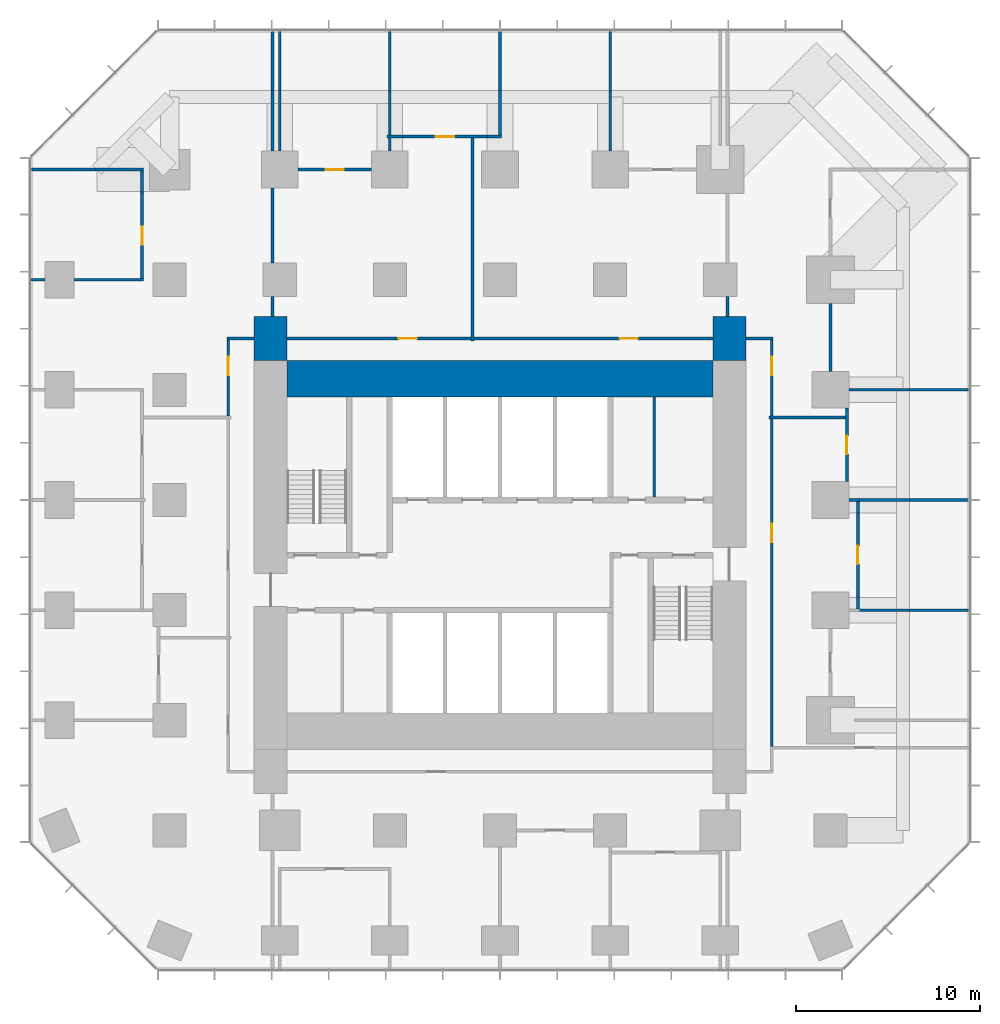
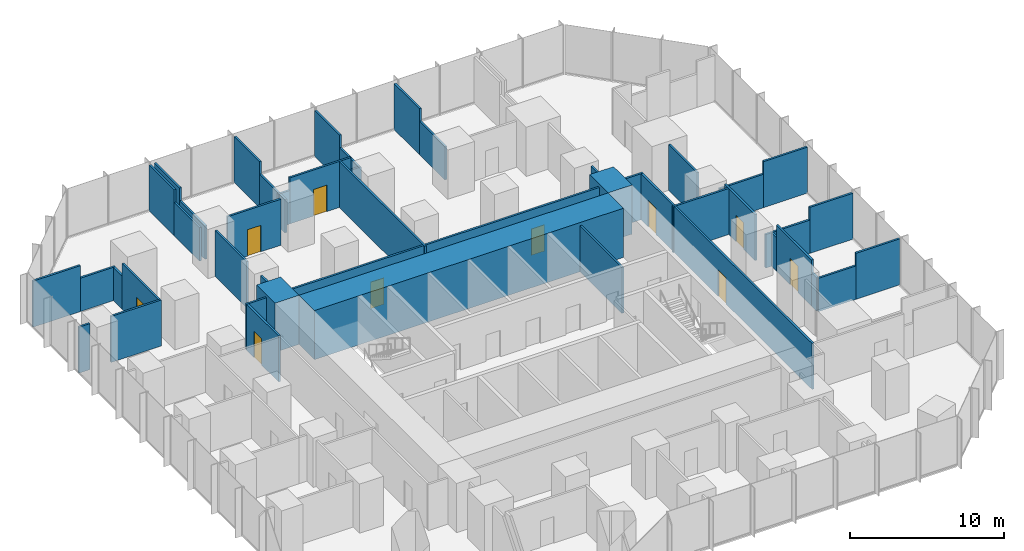
# One storey, part 10 of 12: 49 walls, 10 doors, 10 openings.
"""IFC4 building model written with IfcOpenShell, lengths in metres."""

from ifc_helpers import new_model, si_unit, direction, frame, frame_2d, origin, place, context, subcontext, project, spatial, rectangle, extrude, material, layer, layer_set, type_object, element, fill, save


model = new_model("IFC4")

# Units and contexts
model_context = context("Model", 3, precision=1e-05, world=origin(), true_north=direction((0.0, 1.0)))
body_context = subcontext(model_context, "Body", "Model", "MODEL_VIEW")
ifc_project = project(units=[si_unit("LENGTHUNIT", "METRE"), si_unit("AREAUNIT", "SQUARE_METRE"), si_unit("VOLUMEUNIT", "CUBIC_METRE"), si_unit("PLANEANGLEUNIT", "RADIAN"), si_unit("MASSUNIT", "GRAM", prefix="KILO")], contexts=[model_context])

# Site, building, storey
site_placement = place(None, origin())
site = spatial("IfcSite", under=ifc_project, at=site_placement, CompositionType="ELEMENT")
building_placement = place(site_placement, origin())
building = spatial("IfcBuilding", under=site, at=building_placement, Name="Highveld Stack Headquarters", CompositionType="ELEMENT")
storey_placement = place(building_placement, frame((0.0, 0.0, 68.89990234375)))
storey = spatial("IfcBuildingStorey", under=building, at=storey_placement, Name="L16", CompositionType="ELEMENT", Elevation=68.89990234375)

# Walls
ifc_material_1 = material(Name="Concrete C60/75", Category="concrete")
ifc_layer_1 = layer(ifc_material_1, 2.0)
ifc_layer_set_1 = layer_set([ifc_layer_1], Name="Concrete C60/75")
wall_type_1 = type_object("IfcWallType", Name="CORE WALL 2000 C60/75", PredefinedType="SHEAR", material=ifc_layer_set_1)
wall_1_placement = place(storey_placement, frame((-5.60009765625, 12.60009765625, 0.0), z_axis=(0.0, 0.0, 1.0), x_axis=(1.0, 0.0, 0.0)))
element("IfcWall", 1, at=wall_1_placement, inside=storey, type_object=wall_type_1, Name="Core wall N L16", PredefinedType="SHEAR", context=body_context, shape_type="SweptSolid", body=[
    extrude(rectangle(XDim=23.2001953125, YDim=2.0, at=frame_2d((11.60009765625, 0.0))), origin(), (0.0, 0.0, 1.0), 3.900146484375),
])
ifc_material_2 = material(Name="Concrete C60/75", Category="concrete")
ifc_layer_2 = layer(ifc_material_2, 1.800048828125)
ifc_layer_set_2 = layer_set([ifc_layer_2], Name="Concrete C60/75")
wall_type_2 = type_object("IfcWallType", Name="CORE WING WALL 1800 C60/75", PredefinedType="SHEAR", material=ifc_layer_set_2)
for number, where, z_axis, x_axis, name in (
    (2, (-6.5, 13.60009765625, 0.0), (0.0, 0.0, 1.0), (0.0, 1.0, 0.0), "Core wing wall WN L16"),
    (3, (18.5, 13.60009765625, 0.0), (0.0, 0.0, 1.0), (0.0, 1.0, 0.0), "Core wing wall EN L16"),
):
    element("IfcWall", number, at=place(storey_placement, frame(where, z_axis=z_axis, x_axis=x_axis)), inside=storey, type_object=wall_type_2, Name=name, PredefinedType="SHEAR", context=body_context, shape_type="SweptSolid", body=[
        extrude(rectangle(XDim=2.39990234375, YDim=1.800048828125, at=frame_2d((1.199951171875, 0.0))), origin(), (0.0, 0.0, 1.0), 3.900146484375),
    ])
ifc_material_3 = material(Name="Gypsum plasterboard on steel studs", Category="steel")
ifc_layer_3 = layer(ifc_material_3, 0.14990234375)
ifc_layer_set_3 = layer_set([ifc_layer_3], Name="Gypsum plasterboard on steel studs")
wall_type_3 = type_object("IfcWallType", Name="PARTITION 150 PLASTERBOARD", PredefinedType="PARTITIONING", material=ifc_layer_set_3)
wall_2_placement = place(storey_placement, frame((25.5, 0.0, 0.0), z_axis=(0.0, 0.0, 1.0), x_axis=(1.0, 0.0, 0.0)))
element("IfcWall", 4, at=wall_2_placement, inside=storey, type_object=wall_type_3, Name="Partition Meeting room / Quiet room L16", PredefinedType="PARTITIONING", context=body_context, shape_type="SweptSolid", body=[
    extrude(rectangle(XDim=2.81005859375, YDim=0.14990234375, at=frame_2d((1.405029296875, 0.0))), origin(), (0.0, 0.0, 1.0), 2.650146484375),
])
wall_3_placement = place(storey_placement, frame((28.31005859375, 0.0, 0.0), z_axis=(0.0, 0.0, 1.0), x_axis=(1.0, 0.0, 0.0)))
element("IfcWall", 5, at=wall_3_placement, inside=storey, type_object=wall_type_3, Name="Partition Meeting room / Quiet room L16", PredefinedType="PARTITIONING", context=body_context, shape_type="SweptSolid", body=[
    extrude(rectangle(XDim=3.2900390625, YDim=0.14990234375, at=frame_2d((1.64501953125, 0.0))), origin(), (0.0, 0.0, 1.0), 3.650146484375),
])
wall_4_placement = place(storey_placement, frame((25.0, 6.0, 0.0), z_axis=(0.0, 0.0, 1.0), x_axis=(1.0, 0.0, 0.0)))
element("IfcWall", 6, at=wall_4_placement, inside=storey, type_object=wall_type_3, Name="Partition Interview room L16", PredefinedType="PARTITIONING", context=body_context, shape_type="SweptSolid", body=[
    extrude(rectangle(XDim=0.574951171875, YDim=0.14990234375, at=frame_2d((0.28759765625, 0.0))), origin(), (0.0, 0.0, 1.0), 2.650146484375),
])
wall_5_placement = place(storey_placement, frame((25.5, 6.0, 0.0), z_axis=(0.0, 0.0, 1.0), x_axis=(1.0, 0.0, 0.0)))
element("IfcWall", 7, at=wall_5_placement, inside=storey, type_object=wall_type_3, Name="Partition Interview room / Quiet room L16", PredefinedType="PARTITIONING", context=body_context, shape_type="SweptSolid", body=[
    extrude(rectangle(XDim=2.81005859375, YDim=0.14990234375, at=frame_2d((1.405029296875, 0.0))), origin(), (0.0, 0.0, 1.0), 2.650146484375),
])
wall_6_placement = place(storey_placement, frame((28.31005859375, 6.0, 0.0), z_axis=(0.0, 0.0, 1.0), x_axis=(1.0, 0.0, 0.0)))
element("IfcWall", 8, at=wall_6_placement, inside=storey, type_object=wall_type_3, Name="Partition Interview room / Quiet room L16", PredefinedType="PARTITIONING", context=body_context, shape_type="SweptSolid", body=[
    extrude(rectangle(XDim=3.239990234375, YDim=0.14990234375, at=frame_2d((1.6201171875, 0.0))), origin(), (0.0, 0.0, 1.0), 3.650146484375),
])
wall_7_placement = place(storey_placement, frame((25.0, 12.0, 0.0), z_axis=(0.0, 0.0, 1.0), x_axis=(1.0, 0.0, 0.0)))
element("IfcWall", 9, at=wall_7_placement, inside=storey, type_object=wall_type_3, Name="Partition Interview room / Team office L16", PredefinedType="PARTITIONING", context=body_context, shape_type="SweptSolid", body=[
    extrude(rectangle(XDim=3.31005859375, YDim=0.14990234375, at=frame_2d((1.655029296875, 0.0))), origin(), (0.0, 0.0, 1.0), 2.650146484375),
])
wall_8_placement = place(storey_placement, frame((28.31005859375, 12.0, 0.0), z_axis=(0.0, 0.0, 1.0), x_axis=(1.0, 0.0, 0.0)))
element("IfcWall", 10, at=wall_8_placement, inside=storey, type_object=wall_type_3, Name="Partition Interview room / Team office L16", PredefinedType="PARTITIONING", context=body_context, shape_type="SweptSolid", body=[
    extrude(rectangle(XDim=3.2900390625, YDim=0.14990234375, at=frame_2d((1.64501953125, 0.0))), origin(), (0.0, 0.0, 1.0), 3.650146484375),
])
wall_9_placement = place(storey_placement, frame((-19.60009765625, 18.0, 0.0), z_axis=(0.0, 0.0, 1.0), x_axis=(1.0, 0.0, 0.0)))
element("IfcWall", 11, at=wall_9_placement, inside=storey, type_object=wall_type_3, Name="Partition Quiet room L16", PredefinedType="PARTITIONING", context=body_context, shape_type="SweptSolid", body=[
    extrude(rectangle(XDim=0.800048828125, YDim=0.14990234375, at=frame_2d((0.39990234375, 0.0))), origin(), (0.0, 0.0, 1.0), 3.650146484375),
])
wall_10_placement = place(storey_placement, frame((-17.199951171875, 18.0, 0.0), z_axis=(0.0, 0.0, 1.0), x_axis=(1.0, 0.0, 0.0)))
element("IfcWall", 12, at=wall_10_placement, inside=storey, type_object=wall_type_3, Name="Partition Quiet room L16", PredefinedType="PARTITIONING", context=body_context, shape_type="SweptSolid", body=[
    extrude(rectangle(XDim=3.77490234375, YDim=0.14990234375, at=frame_2d((1.887451171875, 0.0))), origin(), (0.0, 0.0, 1.0), 3.650146484375),
])
wall_11_placement = place(storey_placement, frame((-19.60009765625, 24.0, 0.0), z_axis=(0.0, 0.0, 1.0), x_axis=(1.0, 0.0, 0.0)))
element("IfcWall", 13, at=wall_11_placement, inside=storey, type_object=wall_type_3, Name="Partition Quiet room L16", PredefinedType="PARTITIONING", context=body_context, shape_type="SweptSolid", body=[
    extrude(rectangle(XDim=3.55517578125, YDim=0.14990234375, at=frame_2d((1.777587890625, 0.0))), origin(), (0.0, 0.0, 1.0), 3.650146484375),
])
wall_12_placement = place(storey_placement, frame((-16.044921875, 24.0, 0.0), z_axis=(0.0, 0.0, 1.0), x_axis=(1.0, 0.0, 0.0)))
element("IfcWall", 14, at=wall_12_placement, inside=storey, type_object=wall_type_3, Name="Partition Quiet room L16", PredefinedType="PARTITIONING", context=body_context, shape_type="SweptSolid", body=[
    extrude(rectangle(XDim=2.619873046875, YDim=0.14990234375, at=frame_2d((1.31005859375, 0.0))), origin(), (0.0, 0.0, 1.0), 2.650146484375),
])

# Wall, opening, door
wall_13_placement = place(storey_placement, frame((-5.0, 24.0, 0.0), z_axis=(0.0, 0.0, 1.0), x_axis=(1.0, 0.0, 0.0)))
wall_13 = element("IfcWall", 15, at=wall_13_placement, inside=storey, type_object=wall_type_3, Name="Partition Office L16", PredefinedType="PARTITIONING", context=body_context, shape_type="SweptSolid", body=[
    extrude(rectangle(XDim=4.0, YDim=0.14990234375, at=frame_2d((2.0, 0.0))), origin(), (0.0, 0.0, 1.0), 3.650146484375),
])
opening_1_placement = place(wall_13_placement, frame((1.5, 0.0, 0.0)))
opening_1 = element("IfcOpeningElement", 16, at=opening_1_placement, cuts=wall_13, Name="Opening L16-22", PredefinedType="OPENING", context=body_context, shape_type="SweptSolid", body=[
    extrude(rectangle(XDim=1.0, YDim=2.10009765625, at=frame_2d((0.5, 1.050048828125))), frame((0.0, 0.0849609375, 0.0), z_axis=(0.0, -1.0, 0.0), x_axis=(1.0, 0.0, 0.0)), (0.0, 0.0, 1.0), 0.169921875),
])
ifc_material_4 = material(Name="Timber door, oiled ash", Category="wood")
door_type = type_object("IfcDoorType", Name="ROOM DOOR D6 1000x2100", OperationType="SINGLE_SWING_LEFT", PredefinedType="DOOR", material=ifc_material_4)
door_1_placement = place(opening_1_placement, origin())
door_1 = element("IfcDoor", 17, at=door_1_placement, inside=storey, type_object=door_type, Name="Office door 1 L16", OperationType="SINGLE_SWING_LEFT", OverallHeight=2.10009765625, OverallWidth=1.0, PredefinedType="DOOR", context=body_context, shape_type="SweptSolid", body=[
    extrude(rectangle(XDim=1.0, YDim=2.10009765625, at=frame_2d((0.5, 1.050048828125))), frame((0.0, 0.02490234375, 0.0), z_axis=(0.0, -1.0, 0.0), x_axis=(1.0, 0.0, 0.0)), (0.0, 0.0, 1.0), 0.050048828125),
])
fill(opening_1, door_1)

# Wall
wall_14_placement = place(storey_placement, frame((-0.14990234375, 25.800048828125, 0.0), z_axis=(0.0, 0.0, 1.0), x_axis=(1.0, 0.0, 0.0)))
element("IfcWall", 18, at=wall_14_placement, inside=storey, type_object=wall_type_3, Name="Partition Print room L16", PredefinedType="PARTITIONING", context=body_context, shape_type="SweptSolid", body=[
    extrude(rectangle(XDim=0.85986328125, YDim=0.14990234375, at=frame_2d((0.429931640625, 0.0))), origin(), (0.0, 0.0, 1.0), 2.650146484375),
])

# Wall, opening, door
wall_15_placement = place(storey_placement, frame((0.7099609375, 25.800048828125, 0.0), z_axis=(0.0, 0.0, 1.0), x_axis=(1.0, 0.0, 0.0)))
wall_15 = element("IfcWall", 19, at=wall_15_placement, inside=storey, type_object=wall_type_3, Name="Partition Print room L16", PredefinedType="PARTITIONING", context=body_context, shape_type="SweptSolid", body=[
    extrude(rectangle(XDim=4.580078125, YDim=0.14990234375, at=frame_2d((2.2900390625, 0.0))), origin(), (0.0, 0.0, 1.0), 3.650146484375),
])
opening_2_placement = place(wall_15_placement, frame((1.7900390625, 0.0, 0.0)))
opening_2 = element("IfcOpeningElement", 20, at=opening_2_placement, cuts=wall_15, Name="Opening L16-23", PredefinedType="OPENING", context=body_context, shape_type="SweptSolid", body=[
    extrude(rectangle(XDim=1.0, YDim=2.10009765625, at=frame_2d((0.5, 1.050048828125))), frame((0.0, 0.0849609375, 0.0), z_axis=(0.0, -1.0, 0.0), x_axis=(1.0, 0.0, 0.0)), (0.0, 0.0, 1.0), 0.169921875),
])
door_2_placement = place(opening_2_placement, origin())
door_2 = element("IfcDoor", 21, at=door_2_placement, inside=storey, type_object=door_type, Name="Print room door 1 L16", OperationType="SINGLE_SWING_RIGHT", OverallHeight=2.10009765625, OverallWidth=1.0, PredefinedType="DOOR", context=body_context, shape_type="SweptSolid", body=[
    extrude(rectangle(XDim=1.0, YDim=2.10009765625, at=frame_2d((0.5, 1.050048828125))), frame((0.0, 0.02490234375, 0.0), z_axis=(0.0, -1.0, 0.0), x_axis=(1.0, 0.0, 0.0)), (0.0, 0.0, 1.0), 0.050048828125),
])
fill(opening_2, door_2)

# Wall
wall_16_placement = place(storey_placement, frame((5.2900390625, 25.800048828125, 0.0), z_axis=(0.0, 0.0, 1.0), x_axis=(1.0, 0.0, 0.0)))
element("IfcWall", 22, at=wall_16_placement, inside=storey, type_object=wall_type_3, Name="Partition Print room L16", PredefinedType="PARTITIONING", context=body_context, shape_type="SweptSolid", body=[
    extrude(rectangle(XDim=0.784912109375, YDim=0.14990234375, at=frame_2d((0.392578125, 0.0))), origin(), (0.0, 0.0, 1.0), 2.650146484375),
])

# Wall, opening, door
wall_17_placement = place(storey_placement, frame((-13.5, 18.074951171875, 0.0), z_axis=(0.0, 0.0, 1.0), x_axis=(0.0, 1.0, 0.0)))
wall_17 = element("IfcWall", 23, at=wall_17_placement, inside=storey, type_object=wall_type_3, Name="Partition Quiet room L16", PredefinedType="PARTITIONING", context=body_context, shape_type="SweptSolid", body=[
    extrude(rectangle(XDim=4.715087890625, YDim=0.14990234375, at=frame_2d((2.357421875, 0.0))), origin(), (0.0, 0.0, 1.0), 3.650146484375),
])
opening_3_placement = place(wall_17_placement, frame((1.820068359375, 0.0, 0.0)))
opening_3 = element("IfcOpeningElement", 24, at=opening_3_placement, cuts=wall_17, Name="Opening L16-17", PredefinedType="OPENING", context=body_context, shape_type="SweptSolid", body=[
    extrude(rectangle(XDim=1.0, YDim=2.10009765625, at=frame_2d((0.5, 1.050048828125))), frame((0.0, 0.0849609375, 0.0), z_axis=(0.0, -1.0, 0.0), x_axis=(1.0, 0.0, 0.0)), (0.0, 0.0, 1.0), 0.169921875),
])
door_3_placement = place(opening_3_placement, origin())
door_3 = element("IfcDoor", 25, at=door_3_placement, inside=storey, type_object=door_type, Name="Quiet room door 1 L16", OperationType="SINGLE_SWING_LEFT", OverallHeight=2.10009765625, OverallWidth=1.0, PredefinedType="DOOR", context=body_context, shape_type="SweptSolid", body=[
    extrude(rectangle(XDim=1.0, YDim=2.10009765625, at=frame_2d((0.5, 1.050048828125))), frame((0.0, 0.02490234375, 0.0), z_axis=(0.0, -1.0, 0.0), x_axis=(1.0, 0.0, 0.0)), (0.0, 0.0, 1.0), 0.050048828125),
])
fill(opening_3, door_3)

# Walls
wall_18_placement = place(storey_placement, frame((-13.5, 22.7900390625, 0.0), z_axis=(0.0, 0.0, 1.0), x_axis=(0.0, 1.0, 0.0)))
element("IfcWall", 26, at=wall_18_placement, inside=storey, type_object=wall_type_3, Name="Partition Quiet room L16", PredefinedType="PARTITIONING", context=body_context, shape_type="SweptSolid", body=[
    extrude(rectangle(XDim=1.135009765625, YDim=0.14990234375, at=frame_2d((0.5673828125, 0.0))), origin(), (0.0, 0.0, 1.0), 2.650146484375),
])
wall_19_placement = place(storey_placement, frame((-6.0, 25.0, 0.0), z_axis=(0.0, 0.0, 1.0), x_axis=(0.0, 1.0, 0.0)))
element("IfcWall", 27, at=wall_19_placement, inside=storey, type_object=wall_type_3, Name="Partition Office L16", PredefinedType="PARTITIONING", context=body_context, shape_type="SweptSolid", body=[
    extrude(rectangle(XDim=3.31005859375, YDim=0.14990234375, at=frame_2d((1.655029296875, 0.0))), origin(), (0.0, 0.0, 1.0), 2.650146484375),
])
wall_20_placement = place(storey_placement, frame((-6.0, 28.31005859375, 0.0), z_axis=(0.0, 0.0, 1.0), x_axis=(0.0, 1.0, 0.0)))
element("IfcWall", 28, at=wall_20_placement, inside=storey, type_object=wall_type_3, Name="Partition Office L16", PredefinedType="PARTITIONING", context=body_context, shape_type="SweptSolid", body=[
    extrude(rectangle(XDim=3.2900390625, YDim=0.14990234375, at=frame_2d((1.64501953125, 0.0))), origin(), (0.0, 0.0, 1.0), 3.650146484375),
])
wall_21_placement = place(storey_placement, frame((0.0, 25.0, 0.0), z_axis=(0.0, 0.0, 1.0), x_axis=(0.0, 1.0, 0.0)))
element("IfcWall", 29, at=wall_21_placement, inside=storey, type_object=wall_type_3, Name="Partition Office L16", PredefinedType="PARTITIONING", context=body_context, shape_type="SweptSolid", body=[
    extrude(rectangle(XDim=0.72509765625, YDim=0.14990234375, at=frame_2d((0.362548828125, 0.0))), origin(), (0.0, 0.0, 1.0), 2.650146484375),
])
wall_22_placement = place(storey_placement, frame((0.0, 25.875, 0.0), z_axis=(0.0, 0.0, 1.0), x_axis=(0.0, 1.0, 0.0)))
element("IfcWall", 30, at=wall_22_placement, inside=storey, type_object=wall_type_3, Name="Partition Office / Print room L16", PredefinedType="PARTITIONING", context=body_context, shape_type="SweptSolid", body=[
    extrude(rectangle(XDim=2.43505859375, YDim=0.14990234375, at=frame_2d((1.217529296875, 0.0))), origin(), (0.0, 0.0, 1.0), 2.650146484375),
])
wall_23_placement = place(storey_placement, frame((0.0, 28.31005859375, 0.0), z_axis=(0.0, 0.0, 1.0), x_axis=(0.0, 1.0, 0.0)))
element("IfcWall", 31, at=wall_23_placement, inside=storey, type_object=wall_type_3, Name="Partition Office / Print room L16", PredefinedType="PARTITIONING", context=body_context, shape_type="SweptSolid", body=[
    extrude(rectangle(XDim=3.2900390625, YDim=0.14990234375, at=frame_2d((1.64501953125, 0.0))), origin(), (0.0, 0.0, 1.0), 3.650146484375),
])
wall_24_placement = place(storey_placement, frame((6.0, 25.875, 0.0), z_axis=(0.0, 0.0, 1.0), x_axis=(0.0, 1.0, 0.0)))
element("IfcWall", 32, at=wall_24_placement, inside=storey, type_object=wall_type_3, Name="Partition Print room L16", PredefinedType="PARTITIONING", context=body_context, shape_type="SweptSolid", body=[
    extrude(rectangle(XDim=2.43505859375, YDim=0.14990234375, at=frame_2d((1.217529296875, 0.0))), origin(), (0.0, 0.0, 1.0), 2.650146484375),
])
wall_25_placement = place(storey_placement, frame((6.0, 28.31005859375, 0.0), z_axis=(0.0, 0.0, 1.0), x_axis=(0.0, 1.0, 0.0)))
element("IfcWall", 33, at=wall_25_placement, inside=storey, type_object=wall_type_3, Name="Partition Print room L16", PredefinedType="PARTITIONING", context=body_context, shape_type="SweptSolid", body=[
    extrude(rectangle(XDim=3.239990234375, YDim=0.14990234375, at=frame_2d((1.6201171875, 0.0))), origin(), (0.0, 0.0, 1.0), 3.650146484375),
])
wall_26_placement = place(storey_placement, frame((12.0, 25.0, 0.0), z_axis=(0.0, 0.0, 1.0), x_axis=(0.0, 1.0, 0.0)))
element("IfcWall", 34, at=wall_26_placement, inside=storey, type_object=wall_type_3, Name="Partition Meeting room L16", PredefinedType="PARTITIONING", context=body_context, shape_type="SweptSolid", body=[
    extrude(rectangle(XDim=3.31005859375, YDim=0.14990234375, at=frame_2d((1.655029296875, 0.0))), origin(), (0.0, 0.0, 1.0), 2.650146484375),
])
wall_27_placement = place(storey_placement, frame((12.0, 28.31005859375, 0.0), z_axis=(0.0, 0.0, 1.0), x_axis=(0.0, 1.0, 0.0)))
element("IfcWall", 35, at=wall_27_placement, inside=storey, type_object=wall_type_3, Name="Partition Meeting room L16", PredefinedType="PARTITIONING", context=body_context, shape_type="SweptSolid", body=[
    extrude(rectangle(XDim=3.2900390625, YDim=0.14990234375, at=frame_2d((1.64501953125, 0.0))), origin(), (0.0, 0.0, 1.0), 3.650146484375),
])
wall_28_placement = place(storey_placement, frame((24.0, 13.0, 0.0), z_axis=(0.0, 0.0, 1.0), x_axis=(0.0, 1.0, 0.0)))
element("IfcWall", 36, at=wall_28_placement, inside=storey, type_object=wall_type_3, Name="Partition Team office L16", PredefinedType="PARTITIONING", context=body_context, shape_type="SweptSolid", body=[
    extrude(rectangle(XDim=3.699951171875, YDim=0.14990234375, at=frame_2d((1.85009765625, 0.0))), origin(), (0.0, 0.0, 1.0), 3.650146484375),
])

# Wall, opening, door
wall_29_placement = place(storey_placement, frame((24.89990234375, 7.0, 0.0), z_axis=(0.0, 0.0, 1.0), x_axis=(0.0, 1.0, 0.0)))
wall_29 = element("IfcWall", 37, at=wall_29_placement, inside=storey, type_object=wall_type_3, Name="Partition Interview room L16", PredefinedType="PARTITIONING", context=body_context, shape_type="SweptSolid", body=[
    extrude(rectangle(XDim=4.0, YDim=0.14990234375, at=frame_2d((2.0, 0.0))), origin(), (0.0, 0.0, 1.0), 3.650146484375),
])
opening_4_placement = place(wall_29_placement, frame((1.5, 0.0, 0.0)))
opening_4 = element("IfcOpeningElement", 38, at=opening_4_placement, cuts=wall_29, Name="Opening L16-20", PredefinedType="OPENING", context=body_context, shape_type="SweptSolid", body=[
    extrude(rectangle(XDim=1.0, YDim=2.10009765625, at=frame_2d((0.5, 1.050048828125))), frame((0.0, 0.0849609375, 0.0), z_axis=(0.0, -1.0, 0.0), x_axis=(1.0, 0.0, 0.0)), (0.0, 0.0, 1.0), 0.169921875),
])
door_4_placement = place(opening_4_placement, origin())
door_4 = element("IfcDoor", 39, at=door_4_placement, inside=storey, type_object=door_type, Name="Interview room door 1 L16", OperationType="SINGLE_SWING_RIGHT", OverallHeight=2.10009765625, OverallWidth=1.0, PredefinedType="DOOR", context=body_context, shape_type="SweptSolid", body=[
    extrude(rectangle(XDim=1.0, YDim=2.10009765625, at=frame_2d((0.5, 1.050048828125))), frame((0.0, 0.02490234375, 0.0), z_axis=(0.0, -1.0, 0.0), x_axis=(1.0, 0.0, 0.0)), (0.0, 0.0, 1.0), 0.050048828125),
])
fill(opening_4, door_4)

# Wall
wall_30_placement = place(storey_placement, frame((25.5, 0.074951171875, 0.0), z_axis=(0.0, 0.0, 1.0), x_axis=(0.0, 1.0, 0.0)))
element("IfcWall", 40, at=wall_30_placement, inside=storey, type_object=wall_type_3, Name="Partition Quiet room L16", PredefinedType="PARTITIONING", context=body_context, shape_type="SweptSolid", body=[
    extrude(rectangle(XDim=0.635009765625, YDim=0.14990234375, at=frame_2d((0.3173828125, 0.0))), origin(), (0.0, 0.0, 1.0), 2.650146484375),
])

# Wall, opening, door
wall_31_placement = place(storey_placement, frame((25.5, 0.7099609375, 0.0), z_axis=(0.0, 0.0, 1.0), x_axis=(0.0, 1.0, 0.0)))
wall_31 = element("IfcWall", 41, at=wall_31_placement, inside=storey, type_object=wall_type_3, Name="Partition Quiet room L16", PredefinedType="PARTITIONING", context=body_context, shape_type="SweptSolid", body=[
    extrude(rectangle(XDim=4.580078125, YDim=0.14990234375, at=frame_2d((2.2900390625, 0.0))), origin(), (0.0, 0.0, 1.0), 3.650146484375),
])
opening_5_placement = place(wall_31_placement, frame((1.7900390625, 0.0, 0.0)))
opening_5 = element("IfcOpeningElement", 42, at=opening_5_placement, cuts=wall_31, Name="Opening L16-19", PredefinedType="OPENING", context=body_context, shape_type="SweptSolid", body=[
    extrude(rectangle(XDim=1.0, YDim=2.10009765625, at=frame_2d((0.5, 1.050048828125))), frame((0.0, 0.0849609375, 0.0), z_axis=(0.0, -1.0, 0.0), x_axis=(1.0, 0.0, 0.0)), (0.0, 0.0, 1.0), 0.169921875),
])
door_5_placement = place(opening_5_placement, origin())
door_5 = element("IfcDoor", 43, at=door_5_placement, inside=storey, type_object=door_type, Name="Quiet room door 1 L16", OperationType="SINGLE_SWING_LEFT", OverallHeight=2.10009765625, OverallWidth=1.0, PredefinedType="DOOR", context=body_context, shape_type="SweptSolid", body=[
    extrude(rectangle(XDim=1.0, YDim=2.10009765625, at=frame_2d((0.5, 1.050048828125))), frame((0.0, 0.02490234375, 0.0), z_axis=(0.0, -1.0, 0.0), x_axis=(1.0, 0.0, 0.0)), (0.0, 0.0, 1.0), 0.050048828125),
])
fill(opening_5, door_5)

# Wall
wall_32_placement = place(storey_placement, frame((25.5, 5.2900390625, 0.0), z_axis=(0.0, 0.0, 1.0), x_axis=(0.0, 1.0, 0.0)))
element("IfcWall", 44, at=wall_32_placement, inside=storey, type_object=wall_type_3, Name="Partition Quiet room L16", PredefinedType="PARTITIONING", context=body_context, shape_type="SweptSolid", body=[
    extrude(rectangle(XDim=0.635009765625, YDim=0.14990234375, at=frame_2d((0.3173828125, 0.0))), origin(), (0.0, 0.0, 1.0), 2.650146484375),
])

# Wall, opening, door
wall_33_placement = place(storey_placement, frame((-8.800048828125, 10.574951171875, 0.0), z_axis=(0.0, 0.0, 1.0), x_axis=(0.0, 1.0, 0.0)))
wall_33 = element("IfcWall", 45, at=wall_33_placement, inside=storey, type_object=wall_type_3, Name="Partition office neighbourhood L16", PredefinedType="PARTITIONING", context=body_context, shape_type="SweptSolid", body=[
    extrude(rectangle(XDim=4.150146484375, YDim=0.14990234375, at=frame_2d((2.0751953125, 0.0))), origin(), (0.0, 0.0, 1.0), 3.650146484375),
])
opening_6_placement = place(wall_33_placement, frame((2.219970703125, 0.0, 0.0)))
opening_6 = element("IfcOpeningElement", 46, at=opening_6_placement, cuts=wall_33, Name="Opening L16-30", PredefinedType="OPENING", context=body_context, shape_type="SweptSolid", body=[
    extrude(rectangle(XDim=1.0, YDim=2.10009765625, at=frame_2d((0.5, 1.050048828125))), frame((0.0, 0.0849609375, 0.0), z_axis=(0.0, -1.0, 0.0), x_axis=(1.0, 0.0, 0.0)), (0.0, 0.0, 1.0), 0.169921875),
])
door_6_placement = place(opening_6_placement, origin())
door_6 = element("IfcDoor", 47, at=door_6_placement, inside=storey, type_object=door_type, Name="Office neighbourhood door L16", OperationType="SINGLE_SWING_RIGHT", OverallHeight=2.10009765625, OverallWidth=1.0, PredefinedType="DOOR", context=body_context, shape_type="SweptSolid", body=[
    extrude(rectangle(XDim=1.0, YDim=2.10009765625, at=frame_2d((0.5, 1.050048828125))), frame((0.0, 0.02490234375, 0.0), z_axis=(0.0, -1.0, 0.0), x_axis=(1.0, 0.0, 0.0)), (0.0, 0.0, 1.0), 0.050048828125),
])
fill(opening_6, door_6)

# Walls
wall_34_placement = place(storey_placement, frame((-8.875, 14.800048828125, 0.0), z_axis=(0.0, 0.0, 1.0), x_axis=(1.0, 0.0, 0.0)))
element("IfcWall", 48, at=wall_34_placement, inside=storey, type_object=wall_type_3, Name="Partition office neighbourhood L16", PredefinedType="PARTITIONING", context=body_context, shape_type="SweptSolid", body=[
    extrude(rectangle(XDim=1.47509765625, YDim=0.14990234375, at=frame_2d((0.737548828125, 0.0))), origin(), (0.0, 0.0, 1.0), 3.650146484375),
])
wall_35_placement = place(storey_placement, frame((-6.39990234375, 16.0, 0.0), z_axis=(0.0, 0.0, 1.0), x_axis=(0.0, 1.0, 0.0)))
element("IfcWall", 49, at=wall_35_placement, inside=storey, type_object=wall_type_3, Name="Partition office neighbourhood L16", PredefinedType="PARTITIONING", context=body_context, shape_type="SweptSolid", body=[
    extrude(rectangle(XDim=1.10009765625, YDim=0.14990234375, at=frame_2d((0.550048828125, 0.0))), origin(), (0.0, 0.0, 1.0), 3.650146484375),
])
wall_36_placement = place(storey_placement, frame((-6.39990234375, 18.89990234375, 0.0), z_axis=(0.0, 0.0, 1.0), x_axis=(0.0, 1.0, 0.0)))
element("IfcWall", 50, at=wall_36_placement, inside=storey, type_object=wall_type_3, Name="Partition office neighbourhood L16", PredefinedType="PARTITIONING", context=body_context, shape_type="SweptSolid", body=[
    extrude(rectangle(XDim=4.10009765625, YDim=0.14990234375, at=frame_2d((2.050048828125, 0.0))), origin(), (0.0, 0.0, 1.0), 3.650146484375),
])
wall_37_placement = place(storey_placement, frame((-6.39990234375, 25.0, 0.0), z_axis=(0.0, 0.0, 1.0), x_axis=(0.0, 1.0, 0.0)))
element("IfcWall", 51, at=wall_37_placement, inside=storey, type_object=wall_type_3, Name="Partition office neighbourhood L16", PredefinedType="PARTITIONING", context=body_context, shape_type="SweptSolid", body=[
    extrude(rectangle(XDim=3.31005859375, YDim=0.14990234375, at=frame_2d((1.655029296875, 0.0))), origin(), (0.0, 0.0, 1.0), 2.650146484375),
])
wall_38_placement = place(storey_placement, frame((-6.39990234375, 28.31005859375, 0.0), z_axis=(0.0, 0.0, 1.0), x_axis=(0.0, 1.0, 0.0)))
element("IfcWall", 52, at=wall_38_placement, inside=storey, type_object=wall_type_3, Name="Partition office neighbourhood L16", PredefinedType="PARTITIONING", context=body_context, shape_type="SweptSolid", body=[
    extrude(rectangle(XDim=3.239990234375, YDim=0.14990234375, at=frame_2d((1.6201171875, 0.0))), origin(), (0.0, 0.0, 1.0), 3.650146484375),
])

# Wall, opening, door
wall_39_placement = place(storey_placement, frame((-5.60009765625, 14.800048828125, 0.0), z_axis=(0.0, 0.0, 1.0), x_axis=(1.0, 0.0, 0.0)))
wall_39 = element("IfcWall", 53, at=wall_39_placement, inside=storey, type_object=wall_type_3, Name="Partition office neighbourhood L16", PredefinedType="PARTITIONING", context=body_context, shape_type="SweptSolid", body=[
    extrude(rectangle(XDim=10.025146484375, YDim=0.14990234375, at=frame_2d((5.0126953125, 0.0))), origin(), (0.0, 0.0, 1.0), 3.650146484375),
])
opening_7_placement = place(wall_39_placement, frame((6.06494140625, 0.0, 0.0)))
opening_7 = element("IfcOpeningElement", 54, at=opening_7_placement, cuts=wall_39, Name="Opening L16-29", PredefinedType="OPENING", context=body_context, shape_type="SweptSolid", body=[
    extrude(rectangle(XDim=1.0, YDim=2.10009765625, at=frame_2d((0.5, 1.050048828125))), frame((0.0, 0.0849609375, 0.0), z_axis=(0.0, -1.0, 0.0), x_axis=(1.0, 0.0, 0.0)), (0.0, 0.0, 1.0), 0.169921875),
])
door_7_placement = place(opening_7_placement, origin())
door_7 = element("IfcDoor", 55, at=door_7_placement, inside=storey, type_object=door_type, Name="Office neighbourhood door L16", OperationType="SINGLE_SWING_RIGHT", OverallHeight=2.10009765625, OverallWidth=1.0, PredefinedType="DOOR", context=body_context, shape_type="SweptSolid", body=[
    extrude(rectangle(XDim=1.0, YDim=2.10009765625, at=frame_2d((0.5, 1.050048828125))), frame((0.0, 0.02490234375, 0.0), z_axis=(0.0, -1.0, 0.0), x_axis=(1.0, 0.0, 0.0)), (0.0, 0.0, 1.0), 0.050048828125),
])
fill(opening_7, door_7)

# Wall
wall_40_placement = place(storey_placement, frame((4.5, 14.64990234375, 0.0), z_axis=(0.0, 0.0, 1.0), x_axis=(0.0, 1.0, 0.0)))
element("IfcWall", 56, at=wall_40_placement, inside=storey, type_object=wall_type_3, Name="Partition office neighbourhood L16", PredefinedType="PARTITIONING", context=body_context, shape_type="SweptSolid", body=[
    extrude(rectangle(XDim=11.0751953125, YDim=0.14990234375, at=frame_2d((5.53759765625, 0.0))), origin(), (0.0, 0.0, 1.0), 3.650146484375),
])

# Wall, opening, door
wall_41_placement = place(storey_placement, frame((4.574951171875, 14.800048828125, 0.0), z_axis=(0.0, 0.0, 1.0), x_axis=(1.0, 0.0, 0.0)))
wall_41 = element("IfcWall", 57, at=wall_41_placement, inside=storey, type_object=wall_type_3, Name="Partition office neighbourhood L16", PredefinedType="PARTITIONING", context=body_context, shape_type="SweptSolid", body=[
    extrude(rectangle(XDim=13.025146484375, YDim=0.14990234375, at=frame_2d((6.5126953125, 0.0))), origin(), (0.0, 0.0, 1.0), 3.650146484375),
])
opening_8_placement = place(wall_41_placement, frame((7.93994140625, 0.0, 0.0)))
opening_8 = element("IfcOpeningElement", 58, at=opening_8_placement, cuts=wall_41, Name="Opening L16-31", PredefinedType="OPENING", context=body_context, shape_type="SweptSolid", body=[
    extrude(rectangle(XDim=1.0, YDim=2.10009765625, at=frame_2d((0.5, 1.050048828125))), frame((0.0, 0.0849609375, 0.0), z_axis=(0.0, -1.0, 0.0), x_axis=(1.0, 0.0, 0.0)), (0.0, 0.0, 1.0), 0.169921875),
])
door_8_placement = place(opening_8_placement, origin())
door_8 = element("IfcDoor", 59, at=door_8_placement, inside=storey, type_object=door_type, Name="Office neighbourhood door L16", OperationType="SINGLE_SWING_RIGHT", OverallHeight=2.10009765625, OverallWidth=1.0, PredefinedType="DOOR", context=body_context, shape_type="SweptSolid", body=[
    extrude(rectangle(XDim=1.0, YDim=2.10009765625, at=frame_2d((0.5, 1.050048828125))), frame((0.0, 0.02490234375, 0.0), z_axis=(0.0, -1.0, 0.0), x_axis=(1.0, 0.0, 0.0)), (0.0, 0.0, 1.0), 0.050048828125),
])
fill(opening_8, door_8)

# Walls
wall_42_placement = place(storey_placement, frame((18.39990234375, 16.0, 0.0), z_axis=(0.0, 0.0, 1.0), x_axis=(0.0, 1.0, 0.0)))
element("IfcWall", 60, at=wall_42_placement, inside=storey, type_object=wall_type_3, Name="Partition office neighbourhood L16", PredefinedType="PARTITIONING", context=body_context, shape_type="SweptSolid", body=[
    extrude(rectangle(XDim=1.10009765625, YDim=0.14990234375, at=frame_2d((0.550048828125, 0.0))), origin(), (0.0, 0.0, 1.0), 3.650146484375),
])
wall_43_placement = place(storey_placement, frame((19.39990234375, 14.800048828125, 0.0), z_axis=(0.0, 0.0, 1.0), x_axis=(1.0, 0.0, 0.0)))
element("IfcWall", 61, at=wall_43_placement, inside=storey, type_object=wall_type_3, Name="Partition office neighbourhood L16", PredefinedType="PARTITIONING", context=body_context, shape_type="SweptSolid", body=[
    extrude(rectangle(XDim=1.47509765625, YDim=0.14990234375, at=frame_2d((0.737548828125, 0.0))), origin(), (0.0, 0.0, 1.0), 3.650146484375),
])

# Wall, opening, door
wall_44_placement = place(storey_placement, frame((20.800048828125, -7.5, 0.0), z_axis=(0.0, 0.0, 1.0), x_axis=(0.0, 1.0, 0.0)))
wall_44 = element("IfcWall", 62, at=wall_44_placement, inside=storey, type_object=wall_type_3, Name="Partition office neighbourhood L16", PredefinedType="PARTITIONING", context=body_context, shape_type="SweptSolid", body=[
    extrude(rectangle(XDim=17.925048828125, YDim=0.14990234375, at=frame_2d((8.96240234375, 0.0))), origin(), (0.0, 0.0, 1.0), 3.650146484375),
])
opening_9_placement = place(wall_44_placement, frame((11.199951171875, 0.0, 0.0)))
opening_9 = element("IfcOpeningElement", 63, at=opening_9_placement, cuts=wall_44, Name="Opening L16-27", PredefinedType="OPENING", context=body_context, shape_type="SweptSolid", body=[
    extrude(rectangle(XDim=1.0, YDim=2.10009765625, at=frame_2d((0.5, 1.050048828125))), frame((0.0, 0.0849609375, 0.0), z_axis=(0.0, -1.0, 0.0), x_axis=(1.0, 0.0, 0.0)), (0.0, 0.0, 1.0), 0.169921875),
])
door_9_placement = place(opening_9_placement, origin())
door_9 = element("IfcDoor", 64, at=door_9_placement, inside=storey, type_object=door_type, Name="Office neighbourhood door L16", OperationType="SINGLE_SWING_RIGHT", OverallHeight=2.10009765625, OverallWidth=1.0, PredefinedType="DOOR", context=body_context, shape_type="SweptSolid", body=[
    extrude(rectangle(XDim=1.0, YDim=2.10009765625, at=frame_2d((0.5, 1.050048828125))), frame((0.0, 0.02490234375, 0.0), z_axis=(0.0, -1.0, 0.0), x_axis=(1.0, 0.0, 0.0)), (0.0, 0.0, 1.0), 0.050048828125),
])
fill(opening_9, door_9)

wall_45_placement = place(storey_placement, frame((20.800048828125, 10.574951171875, 0.0), z_axis=(0.0, 0.0, 1.0), x_axis=(0.0, 1.0, 0.0)))
wall_45 = element("IfcWall", 65, at=wall_45_placement, inside=storey, type_object=wall_type_3, Name="Partition office neighbourhood L16", PredefinedType="PARTITIONING", context=body_context, shape_type="SweptSolid", body=[
    extrude(rectangle(XDim=4.150146484375, YDim=0.14990234375, at=frame_2d((2.0751953125, 0.0))), origin(), (0.0, 0.0, 1.0), 3.650146484375),
])
opening_10_placement = place(wall_45_placement, frame((2.219970703125, 0.0, 0.0)))
opening_10 = element("IfcOpeningElement", 66, at=opening_10_placement, cuts=wall_45, Name="Opening L16-32", PredefinedType="OPENING", context=body_context, shape_type="SweptSolid", body=[
    extrude(rectangle(XDim=1.0, YDim=2.10009765625, at=frame_2d((0.5, 1.050048828125))), frame((0.0, 0.0849609375, 0.0), z_axis=(0.0, -1.0, 0.0), x_axis=(1.0, 0.0, 0.0)), (0.0, 0.0, 1.0), 0.169921875),
])
door_10_placement = place(opening_10_placement, origin())
door_10 = element("IfcDoor", 67, at=door_10_placement, inside=storey, type_object=door_type, Name="Office neighbourhood door L16", OperationType="SINGLE_SWING_RIGHT", OverallHeight=2.10009765625, OverallWidth=1.0, PredefinedType="DOOR", context=body_context, shape_type="SweptSolid", body=[
    extrude(rectangle(XDim=1.0, YDim=2.10009765625, at=frame_2d((0.5, 1.050048828125))), frame((0.0, 0.02490234375, 0.0), z_axis=(0.0, -1.0, 0.0), x_axis=(1.0, 0.0, 0.0)), (0.0, 0.0, 1.0), 0.050048828125),
])
fill(opening_10, door_10)

# Walls
wall_46_placement = place(storey_placement, frame((20.64990234375, 10.5, 0.0), z_axis=(0.0, 0.0, 1.0), x_axis=(1.0, 0.0, 0.0)))
element("IfcWall", 68, at=wall_46_placement, inside=storey, type_object=wall_type_3, Name="Partition office neighbourhood L16", PredefinedType="PARTITIONING", context=body_context, shape_type="SweptSolid", body=[
    extrude(rectangle(XDim=4.175048828125, YDim=0.14990234375, at=frame_2d((2.08740234375, 0.0))), origin(), (0.0, 0.0, 1.0), 3.650146484375),
])
ifc_material_5 = material(Name="Concrete blockwork, tiled", Category="masonry")
ifc_layer_4 = layer(ifc_material_5, 0.14990234375)
ifc_layer_set_4 = layer_set([ifc_layer_4], Name="Concrete blockwork, tiled")
wall_type_4 = type_object("IfcWallType", Name="WC PARTITION 150", PredefinedType="PLUMBINGWALL", material=ifc_layer_set_4)
wall_47_placement = place(storey_placement, frame((14.39990234375, 6.14990234375, 0.0), z_axis=(0.0, 0.0, 1.0), x_axis=(0.0, 1.0, 0.0)))
element("IfcWall", 69, at=wall_47_placement, inside=storey, type_object=wall_type_4, Name="Toilet partition L16", PredefinedType="PLUMBINGWALL", context=body_context, shape_type="SweptSolid", body=[
    extrude(rectangle(XDim=5.4501953125, YDim=0.14990234375, at=frame_2d((2.72509765625, 0.0))), origin(), (0.0, 0.0, 1.0), 3.650146484375),
])

save(model, "model.ifc")
